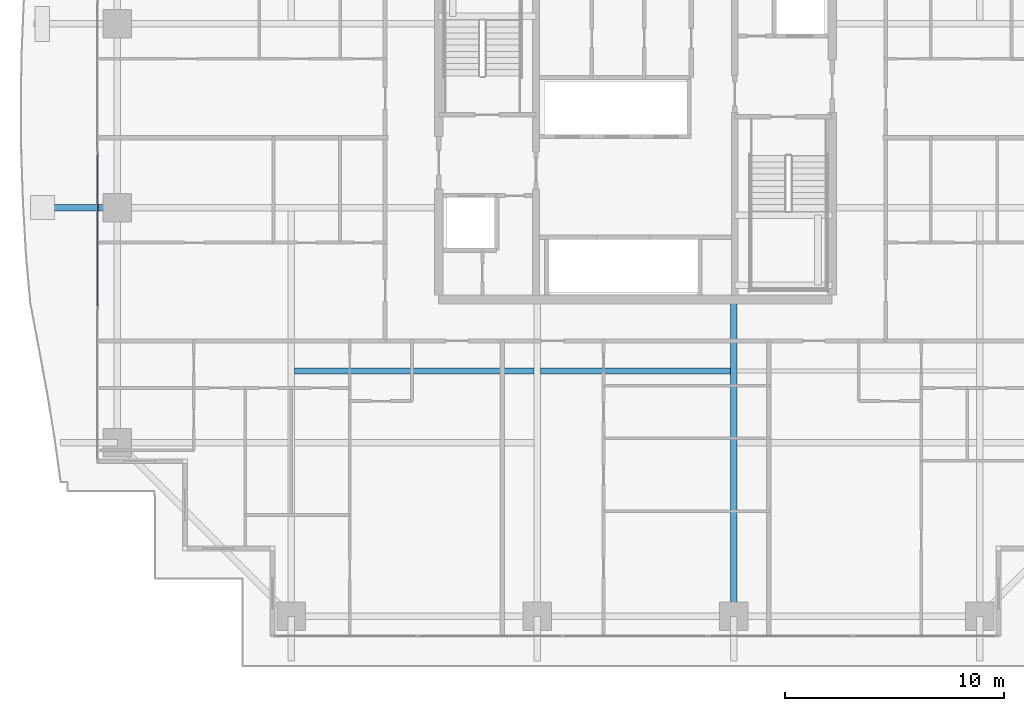
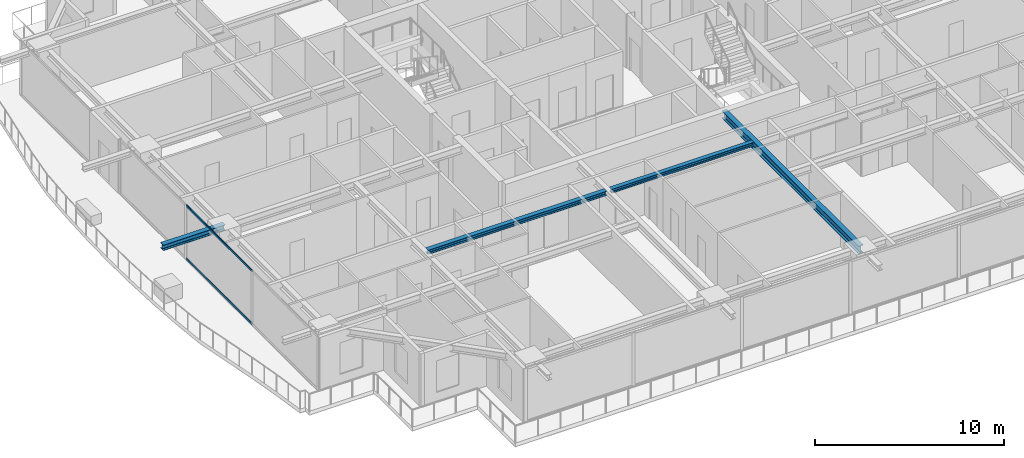
# One storey, part 7 of 38: 4 beams, 2 members, 1 element without a shape of its own.
"""IFC4 building model written with IfcOpenShell, lengths in metres."""

from ifc_helpers import new_model, si_unit, direction, frame, origin, origin_2d, place, context, subcontext, project, spatial, hollow_rectangle, i_section, extrude, source, transform, mapped, material, layer, layer_set, material_profile, profile_set, type_object, element, aggregate, save


model = new_model("IFC4")

# Units and contexts
model_context = context("Model", 3, precision=1e-05, world=origin(), true_north=direction((0.0, 1.0)))
body_context = subcontext(model_context, "Body", "Model", "MODEL_VIEW")
ifc_project = project(units=[si_unit("LENGTHUNIT", "METRE"), si_unit("AREAUNIT", "SQUARE_METRE"), si_unit("VOLUMEUNIT", "CUBIC_METRE"), si_unit("PLANEANGLEUNIT", "RADIAN"), si_unit("MASSUNIT", "GRAM", prefix="KILO")], contexts=[model_context])

# Site, building, storey
site_placement = place(None, origin())
site = spatial("IfcSite", under=ifc_project, at=site_placement, CompositionType="ELEMENT")
building_placement = place(site_placement, origin())
building = spatial("IfcBuilding", under=site, at=building_placement, Name="Serunith Strait Residences", CompositionType="ELEMENT")
storey_placement = place(building_placement, frame((0.0, 0.0, 120.14990234375)))
storey = spatial("IfcBuildingStorey", under=building, at=storey_placement, Name="L29", CompositionType="ELEMENT", Elevation=120.14990234375)

# Beams
ifc_material_1 = material(Name="Steel S355J2", Category="steel")
ifc_material_profile_1 = material_profile(ifc_material_1, i_section(OverallWidth=0.260009765625, OverallDepth=0.260009765625, WebThickness=0.010009765625, FlangeThickness=0.017578125, FilletRadius=0.02392578125, at=origin_2d()), Name="HEB 260")
ifc_profile_set_1 = profile_set([ifc_material_profile_1], Name="Steel S355J2")
beam_type_1 = type_object("IfcBeamType", Name="BM-HEB260", PredefinedType="JOIST", material=ifc_profile_set_1)
shared_shape_1 = source(origin(), body_context, "Body", "SweptSolid", [
    extrude(i_section(OverallWidth=0.260009765625, OverallDepth=0.260009765625, WebThickness=0.010009765625, FlangeThickness=0.017578125, FilletRadius=0.02392578125, at=origin_2d()), origin(), (0.0, 0.0, 1.0), 8.699951171875),
])
beam_1_placement = place(storey_placement, frame((28.050048828125, 13.52490234375, 3.357177734375), z_axis=(1.0, 0.0, 0.0), x_axis=(0.0, 1.0, 0.0)))
element("IfcBeam", 1, at=beam_1_placement, inside=storey, type_object=beam_type_1, Name="L29 Composite Floor Joist 02", PredefinedType="JOIST", context=body_context, shape_type="MappedRepresentation", body=[
    mapped(shared_shape_1, transform((0.0, 0.0, 0.0), scale=1.0)),
])
ifc_material_profile_2 = material_profile(ifc_material_1, i_section(OverallWidth=0.300048828125, OverallDepth=0.5, WebThickness=0.014404296875, FlangeThickness=0.028076171875, FilletRadius=0.027099609375, at=origin_2d()), Name="HEB 500")
ifc_profile_set_2 = profile_set([ifc_material_profile_2], Name="Steel S355J2")
beam_type_2 = type_object("IfcBeamType", Name="BM-HEB500", PredefinedType="BEAM", material=ifc_profile_set_2)
shared_shape_2 = source(origin(), body_context, "Body", "SweptSolid", [
    extrude(i_section(OverallWidth=0.300048828125, OverallDepth=0.5, WebThickness=0.014404296875, FlangeThickness=0.028076171875, FilletRadius=0.027099609375, at=origin_2d()), origin(), (0.0, 0.0, 1.0), 14.5),
])
beam_2_placement = place(storey_placement, frame((36.89990234375, 16.800048828125, 3.237060546875), z_axis=(0.0, -1.0, 0.0), x_axis=(1.0, 0.0, 0.0)))
element("IfcBeam", 2, at=beam_2_placement, inside=storey, type_object=beam_type_2, Name="L29 Primary Floor Girder TC-S3", PredefinedType="BEAM", context=body_context, shape_type="MappedRepresentation", body=[
    mapped(shared_shape_2, transform((0.0, 0.0, 0.0), scale=1.0)),
])
ifc_material_profile_3 = material_profile(ifc_material_1, i_section(OverallWidth=0.280029296875, OverallDepth=0.280029296875, WebThickness=0.010498046875, FlangeThickness=0.01806640625, FilletRadius=0.02392578125, at=origin_2d()), Name="HEB 280")
ifc_profile_set_3 = profile_set([ifc_material_profile_3], Name="Steel S355J2")
beam_type_3 = type_object("IfcBeamType", Name="BM-HEB280", PredefinedType="JOIST", material=ifc_profile_set_3)
shared_shape_3 = source(origin(), body_context, "Body", "SweptSolid", [
    extrude(i_section(OverallWidth=0.280029296875, OverallDepth=0.280029296875, WebThickness=0.010498046875, FlangeThickness=0.01806640625, FilletRadius=0.02392578125, at=origin_2d()), origin(), (0.0, 0.0, 1.0), 10.949951171875),
])
beam_3_placement = place(storey_placement, frame((16.800048828125, 13.52490234375, 3.34716796875), z_axis=(1.0, 0.0, 0.0), x_axis=(0.0, 1.0, 0.0)))
element("IfcBeam", 3, at=beam_3_placement, inside=storey, type_object=beam_type_3, Name="L29 Composite Floor Joist 01", PredefinedType="JOIST", context=body_context, shape_type="MappedRepresentation", body=[
    mapped(shared_shape_3, transform((0.0, 0.0, 0.0), scale=1.0)),
])
ifc_material_profile_4 = material_profile(ifc_material_1, i_section(OverallWidth=0.300048828125, OverallDepth=0.360107421875, WebThickness=0.012451171875, FlangeThickness=0.0224609375, FilletRadius=0.027099609375, at=origin_2d()), Name="HEB 360")
ifc_profile_set_4 = profile_set([ifc_material_profile_4], Name="Steel S355J2")
beam_type_4 = type_object("IfcBeamType", Name="BM-HEB360", PredefinedType="BEAM", material=ifc_profile_set_4)
shared_shape_4 = source(origin(), body_context, "Body", "SweptSolid", [
    extrude(i_section(OverallWidth=0.300048828125, OverallDepth=0.360107421875, WebThickness=0.012451171875, FlangeThickness=0.0224609375, FilletRadius=0.027099609375, at=origin_2d()), origin(), (0.0, 0.0, 1.0), 3.800048828125),
])
beam_4_placement = place(storey_placement, frame((8.699951171875, 21.0, 3.277099609375), z_axis=(-1.0, 0.0, 0.0), x_axis=(0.0, -1.0, 0.0)))
element("IfcBeam", 4, at=beam_4_placement, inside=storey, type_object=beam_type_4, Name="L30 Cantilevered Balcony Rib TC-W2", PredefinedType="BEAM", context=body_context, shape_type="MappedRepresentation", body=[
    mapped(shared_shape_4, transform((0.0, 0.0, 0.0), scale=1.0)),
])

# Curtain wall, members
ifc_material_2 = material(Name="Pale-Champagne Anodised Aluminium", Category="aluminium")
ifc_layer = layer(ifc_material_2, 0.199951171875, Name="Pale-Champagne Anodised Aluminium")
ifc_layer_set = layer_set([ifc_layer], Name="Pale-Champagne Anodised Aluminium")
curtain_wall_type = type_object("IfcCurtainWallType", Name="CW-SYS2", PredefinedType="NOTDEFINED", material=ifc_layer_set)
curtain_wall_placement = place(storey_placement, origin())
curtain_wall = element("IfcCurtainWall", 5, at=curtain_wall_placement, inside=storey, type_object=curtain_wall_type, Name="L29 W Unitised Fritted Curtain Wall", PredefinedType="NOTDEFINED")
ifc_material_profile_5 = material_profile(ifc_material_2, hollow_rectangle(XDim=0.06005859375, YDim=0.139892578125, WallThickness=0.00341796875, InnerFilletRadius=0.00537109375, OuterFilletRadius=0.0087890625, at=origin_2d()), Name="ALU 140x60x3.5")
ifc_profile_set_5 = profile_set([ifc_material_profile_5], Name="Pale-Champagne Anodised Aluminium")
member_type = type_object("IfcMemberType", Name="CW-SYS2-TRAN", PredefinedType="USERDEFINED", material=ifc_profile_set_5)
shared_shape_5 = source(origin(), body_context, "Body", "SweptSolid", [
    extrude(hollow_rectangle(XDim=0.06005859375, YDim=0.139892578125, WallThickness=0.00341796875, InnerFilletRadius=0.00537109375, OuterFilletRadius=0.0087890625, at=origin_2d()), origin(), (0.0, 0.0, 1.0), 6.96337890625),
])
member_1_placement = place(storey_placement, frame((7.800048828125, 23.431640625, 0.030029296875), z_axis=(0.0, -1.0, 0.0), x_axis=(1.0, 0.0, 0.0)))
member_1 = element("IfcMember", 6, at=member_1_placement, type_object=member_type, Name="CW-2 transom 2.1", ObjectType="TRANSOM", PredefinedType="USERDEFINED", context=body_context, shape_type="MappedRepresentation", body=[
    mapped(shared_shape_5, transform((0.0, 0.0, 0.0), scale=1.0)),
])
member_2_placement = place(storey_placement, frame((7.800048828125, 23.431640625, 3.445068359375), z_axis=(0.0, -1.0, 0.0), x_axis=(1.0, 0.0, 0.0)))
member_2 = element("IfcMember", 7, at=member_2_placement, type_object=member_type, Name="CW-2 transom 2.2", ObjectType="TRANSOM", PredefinedType="USERDEFINED", context=body_context, shape_type="MappedRepresentation", body=[
    mapped(shared_shape_5, transform((0.0, 0.0, 0.0), scale=1.0)),
])
aggregate(curtain_wall, [member_1, member_2])

save(model, "model.ifc")
